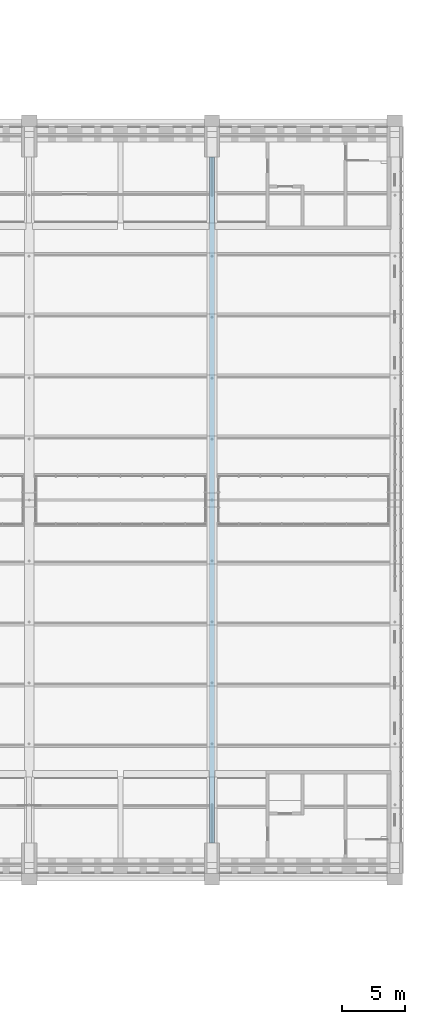
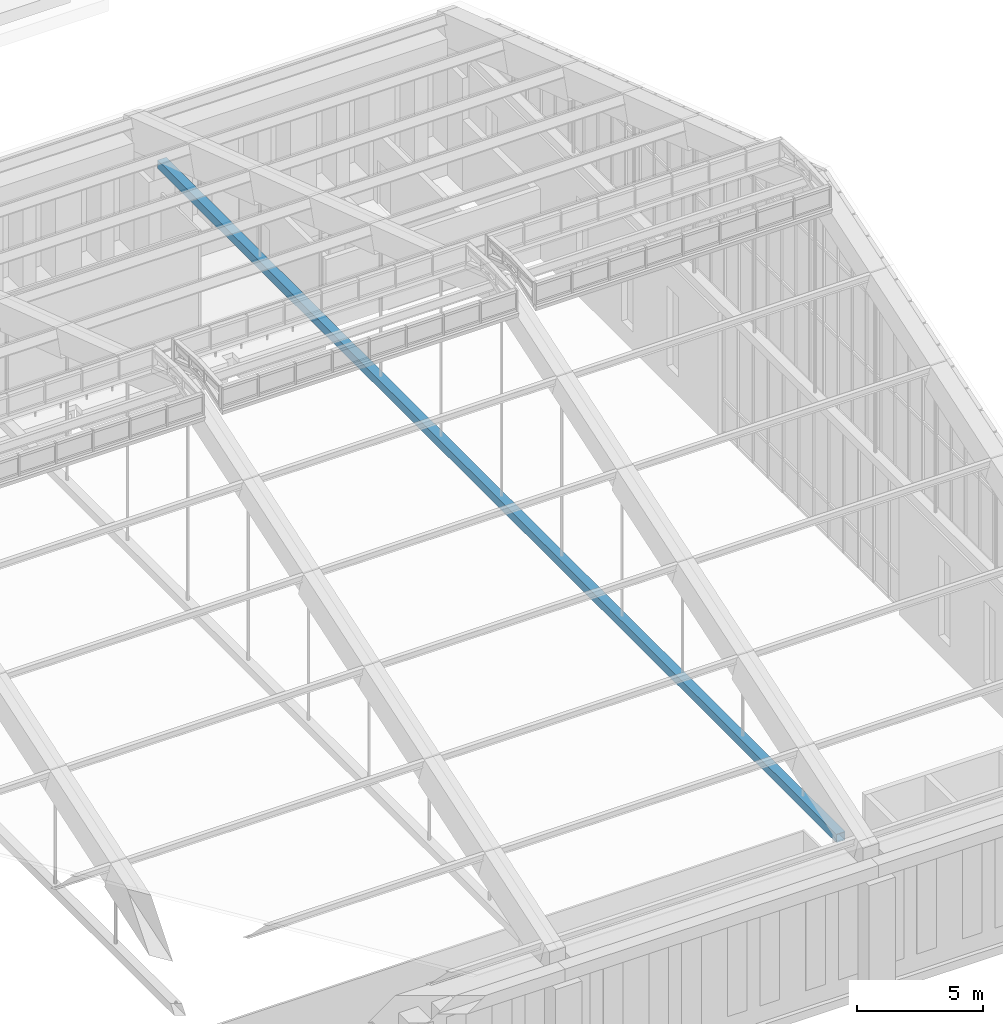
# One storey, part 77 of 149: 1 member.
"""IFC4 building model written with IfcOpenShell, lengths in metres."""

from ifc_helpers import new_model, si_unit, direction, frame, origin, origin_2d, place, context, subcontext, project, spatial, hollow_rectangle, extrude, material, material_profile, profile_set, type_object, element, save


model = new_model("IFC4")

# Units and contexts
model_context = context("Model", 3, precision=1e-05, world=origin(), true_north=direction((0.0, 1.0)))
body_context = subcontext(model_context, "Body", "Model", "MODEL_VIEW")
ifc_project = project(units=[si_unit("LENGTHUNIT", "METRE"), si_unit("AREAUNIT", "SQUARE_METRE"), si_unit("VOLUMEUNIT", "CUBIC_METRE"), si_unit("PLANEANGLEUNIT", "RADIAN"), si_unit("MASSUNIT", "GRAM", prefix="KILO")], contexts=[model_context])

# Site, building, storey
site_placement = place(None, origin())
site = spatial("IfcSite", under=ifc_project, at=site_placement, CompositionType="ELEMENT")
building_placement = place(site_placement, origin())
building = spatial("IfcBuilding", under=site, at=building_placement, Name="Alderwick Market Hall", CompositionType="ELEMENT")
storey_placement = place(building_placement, frame((0.0, 0.0, 9.60009765625)))
storey = spatial("IfcBuildingStorey", under=building, at=storey_placement, Name="L01", CompositionType="ELEMENT", Elevation=9.60009765625)

# Member
ifc_material = material(Name="Steel ASTM A500 Grade C", Category="steel")
ifc_material_profile = material_profile(ifc_material, hollow_rectangle(XDim=0.406494140625, YDim=0.406494140625, WallThickness=0.0146484375, at=origin_2d()), Name="HSS16x16x5/8")
ifc_profile_set = profile_set([ifc_material_profile], Name="Steel ASTM A500 Grade C")
member_type = type_object("IfcMemberType", Name="R Tie HSS16x16x5/8", PredefinedType="USERDEFINED", material=ifc_profile_set)
member_placement = place(storey_placement, frame((136.800048828125, 52.199951171875, 6.14990234375), z_axis=(0.0, 1.0, 0.0), x_axis=(-1.0, 0.0, 0.0)))
element("IfcMember", 1, at=member_placement, inside=storey, type_object=member_type, Name="Arch tie 7", ObjectType="TIE", PredefinedType="USERDEFINED", context=body_context, shape_type="SweptSolid", body=[
    extrude(hollow_rectangle(XDim=0.406494140625, YDim=0.406494140625, WallThickness=0.0146484375, at=origin_2d()), origin(), (0.0, 0.0, 1.0), 54.0),
])

save(model, "model.ifc")
